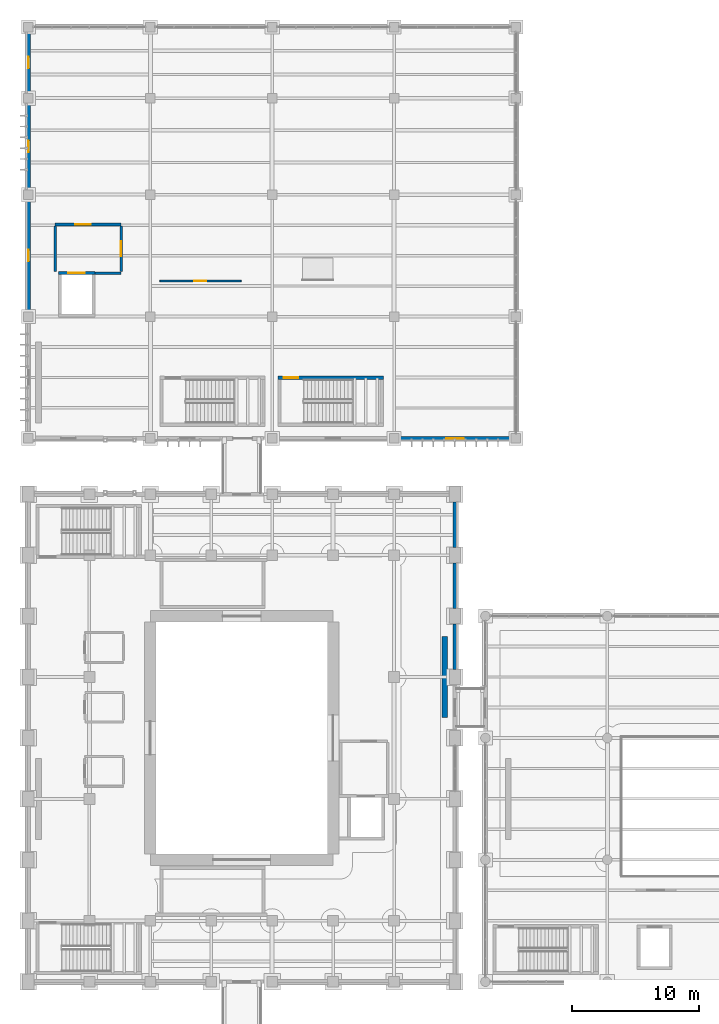
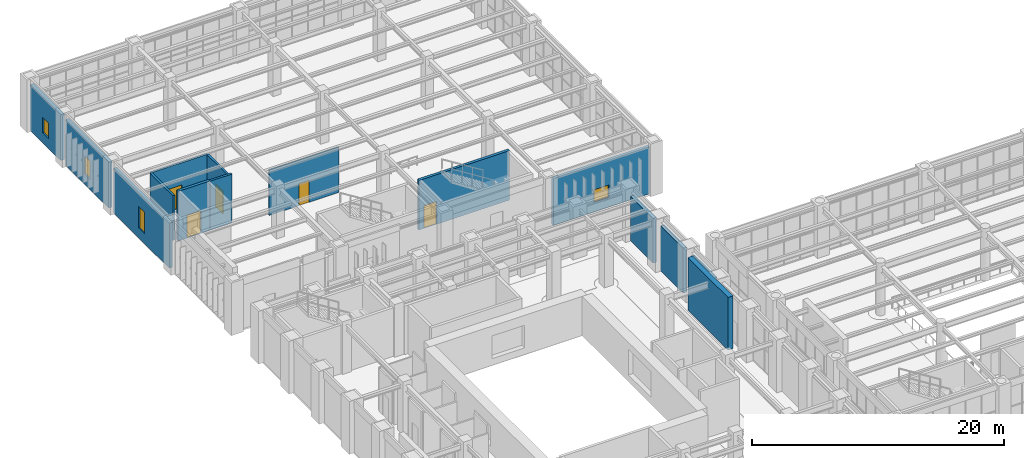
# One storey, part 145 of 174: 15 walls, 5 doors, 4 windows, 9 openings.
"""IFC4 building model written with IfcOpenShell, lengths in metres."""

import ifcopenshell
import ifcopenshell.guid

model = None  # the IFC model being written
_history = None  # IfcOwnerHistory: only IFC2X3 demands one
_inside = {}  # id of a spatial element -> (the spatial element, [elements in it])
_under = {}  # id of a project, library or spatial element -> (it, [spatial elements below it])
_declared = {}  # id of a project -> (the project, [libraries it declares])
_typed = {}  # id of a type object -> (the type object, [elements of that type])
_made_of = {}  # id of a material, layer set ... -> (it, [elements and type objects made of it])


def new_model(schema):
    """Start an empty IFC model of exactly this schema.

    Asked for "IFC4X3", IfcOpenShell would pick the latest addendum, in which some entities
    have other attributes; the version numbers below select the first issue.
    IFC2X3 requires an IfcOwnerHistory on every rooted entity: one is made here for all.
    """
    global model, _history
    if schema == "IFC4X3":
        model = ifcopenshell.file(schema_version=(4, 3, 0, 0))
    else:
        model = ifcopenshell.file(schema=schema)
    _inside.clear()
    _under.clear()
    _declared.clear()
    _typed.clear()
    _made_of.clear()
    _history = None
    if model.schema == "IFC2X3":
        org = make("IfcOrganization", Name="unknown")
        user = make(
            "IfcPersonAndOrganization",
            ThePerson=make("IfcPerson", FamilyName="unknown"),
            TheOrganization=org,
        )
        app = make(
            "IfcApplication",
            ApplicationDeveloper=org,
            Version="unknown",
            ApplicationFullName="unknown",
            ApplicationIdentifier="unknown",
        )
        _history = make(
            "IfcOwnerHistory",
            OwningUser=user,
            OwningApplication=app,
            ChangeAction="ADDED",
            CreationDate=0,
        )
    return model


def make(cls, **values):
    """One entity of the class cls with the attributes given. An attribute that is None is left unset."""
    return model.create_entity(
        cls, **{name: value for name, value in values.items() if value is not None}
    )


def rooted(cls, **values):
    """An entity with a GlobalId (a new one), such as an element, a storey or a relation."""
    return make(cls, GlobalId=ifcopenshell.guid.new(), OwnerHistory=_history, **values)


def si_unit(unit_type, name, prefix=None):
    """IfcSIUnit, for example si_unit("LENGTHUNIT", "METRE", prefix="MILLI")."""
    return make("IfcSIUnit", UnitType=unit_type, Prefix=prefix, Name=name)


def assignment(units):
    """IfcUnitAssignment: the units of a project."""
    return None if units is None else make("IfcUnitAssignment", Units=units)


def point(xyz):
    """IfcCartesianPoint."""
    return None if xyz is None else make("IfcCartesianPoint", Coordinates=xyz)


def direction(xyz):
    """IfcDirection."""
    return None if xyz is None else make("IfcDirection", DirectionRatios=xyz)


def frame(location, z_axis=None, x_axis=None):
    """IfcAxis2Placement3D, a coordinate frame: its origin and axes. An axis left out is left unset."""
    return make(
        "IfcAxis2Placement3D",
        Location=point(location),
        Axis=direction(z_axis),
        RefDirection=direction(x_axis),
    )


def frame_2d(location, x_axis=None):
    """IfcAxis2Placement2D, a coordinate frame in the plane: its origin and x axis."""
    return make(
        "IfcAxis2Placement2D", Location=point(location), RefDirection=direction(x_axis)
    )


def origin():
    """The frame at (0, 0, 0) with its axes left unset."""
    return frame((0.0, 0.0, 0.0))


def place(relative_to, where):
    """IfcLocalPlacement: puts the frame where relative to a parent placement (None: the world)."""
    return make(
        "IfcLocalPlacement", PlacementRelTo=relative_to, RelativePlacement=where
    )


def context(
    kind, dimensions, precision=None, world=None, true_north=None, identifier=None
):
    """IfcGeometricRepresentationContext, for example the 3D "Model" context."""
    return make(
        "IfcGeometricRepresentationContext",
        ContextIdentifier=identifier,
        ContextType=kind,
        CoordinateSpaceDimension=dimensions,
        Precision=precision,
        WorldCoordinateSystem=world,
        TrueNorth=true_north,
    )


def subcontext(parent, identifier, kind, view, scale=None):
    """IfcGeometricRepresentationSubContext, for example "Body" below "Model"."""
    return make(
        "IfcGeometricRepresentationSubContext",
        ContextIdentifier=identifier,
        ContextType=kind,
        ParentContext=parent,
        TargetScale=scale,
        TargetView=view,
    )


def project(units=None, contexts=None):
    """IfcProject with its units and contexts."""
    return rooted(
        "IfcProject",
        Name="project",
        RepresentationContexts=contexts,
        UnitsInContext=assignment(units),
    )


def spatial(cls, under=None, at=None, **own):
    """A site, building, storey or space (cls), placed at a placement, below another one or the project."""
    s = rooted(cls, ObjectPlacement=at, **own)
    if under is not None:
        _under.setdefault(under.id(), (under, []))[1].append(s)
    return s


def profile(cls, at=None, kind="AREA", **sizes):
    """A parametric profile (cls). Its sizes go by their IFC names, for example OverallWidth=200.0."""
    return make(cls, ProfileType=kind, Position=at, **sizes)


def rectangle(**sizes):
    """IfcRectangleProfileDef."""
    return profile("IfcRectangleProfileDef", **sizes)


def extrude(swept, where, along, depth):
    """IfcExtrudedAreaSolid: the profile swept, set in the frame where, extruded along a direction by depth."""
    return make(
        "IfcExtrudedAreaSolid",
        SweptArea=swept,
        Position=where,
        ExtrudedDirection=direction(along),
        Depth=depth,
    )


def shape(context_of_items, identifier, shape_type, items):
    """IfcShapeRepresentation: the items that make up one representation, for example the "Body"."""
    return make(
        "IfcShapeRepresentation",
        ContextOfItems=context_of_items,
        RepresentationIdentifier=identifier,
        RepresentationType=shape_type,
        Items=items,
    )


def material(Name=None, Category=None):
    """IfcMaterial."""
    return make("IfcMaterial", Name=Name, Category=Category)


def layer(
    of_material, thickness, ventilated=None, Name=None, Category=None, Priority=None
):
    """IfcMaterialLayer: one layer of a wall or slab, of a material (None: an air gap)."""
    return make(
        "IfcMaterialLayer",
        Material=of_material,
        LayerThickness=thickness,
        IsVentilated=ventilated,
        Name=Name,
        Category=Category,
        Priority=Priority,
    )


def layer_set(layers, Name=None):
    """IfcMaterialLayerSet."""
    return make("IfcMaterialLayerSet", MaterialLayers=layers, LayerSetName=Name)


def made_of(thing, what):
    """Note that an element or type object is made of a material, layer set ...; save() writes the relation."""
    if what is not None:
        _made_of.setdefault(what.id(), (what, []))[1].append(thing)
    return thing


def type_object(cls, material=None, **own):
    """A type object (cls), such as IfcWallType, which elements share."""
    return made_of(rooted(cls, **own), material)


def element(
    cls,
    number,
    at=None,
    inside=None,
    cuts=None,
    type_object=None,
    material=None,
    context=None,
    identifier="Body",
    shape_type=None,
    held_by="IfcProductDefinitionShape",
    body=None,
    shapes=None,
    **own,
):
    """One element of the class cls, such as IfcWall. Its Tag is "e" and its number.

    at: its placement. inside: the storey or other place that contains it. cuts: it is an
    opening in that element (IfcRelVoidsElement). A single representation is given by context,
    identifier, shape_type and body (its items); several are given by shapes. held_by: the class
    of the entity that holds the representations. save() writes the other relations.
    """
    e = rooted(cls, Tag="e%d" % number, ObjectPlacement=at, **own)
    if body is not None:
        shapes = [shape(context, identifier, shape_type, body)]
    if shapes is not None:
        e.Representation = make(held_by, Representations=shapes)
    if inside is not None:
        _inside.setdefault(inside.id(), (inside, []))[1].append(e)
    if cuts is not None:
        rooted(
            "IfcRelVoidsElement", RelatingBuildingElement=cuts, RelatedOpeningElement=e
        )
    if type_object is not None:
        _typed.setdefault(type_object.id(), (type_object, []))[1].append(e)
    return made_of(e, material)


def fill(opening, filler):
    """IfcRelFillsElement: the door or window that sits in an opening."""
    return rooted(
        "IfcRelFillsElement",
        RelatingOpeningElement=opening,
        RelatedBuildingElement=filler,
    )


def aggregate(whole, parts):
    """IfcRelAggregates: a whole, such as a stair, and the parts it consists of."""
    return rooted("IfcRelAggregates", RelatingObject=whole, RelatedObjects=parts)


def save(model, path):
    """Write the relations noted so far, then the file.

    IfcRelAggregates (storeys below a building ...), IfcRelContainedInSpatialStructure (elements
    in a storey), IfcRelDefinesByType, IfcRelAssociatesMaterial and IfcRelDeclares: one each for
    every whole, place, type object, material and project.
    """
    for whole, parts in _under.values():
        aggregate(whole, parts)
    for where, things in _inside.values():
        rooted(
            "IfcRelContainedInSpatialStructure",
            RelatedElements=things,
            RelatingStructure=where,
        )
    for kind, things in _typed.values():
        rooted("IfcRelDefinesByType", RelatedObjects=things, RelatingType=kind)
    for what, things in _made_of.values():
        rooted("IfcRelAssociatesMaterial", RelatedObjects=things, RelatingMaterial=what)
    for by, libraries in _declared.values():
        rooted("IfcRelDeclares", RelatingContext=by, RelatedDefinitions=libraries)
    model.write(path)


model = new_model("IFC4")

# Units and contexts
model_context = context("Model", 3, precision=1e-05, world=origin(), true_north=direction((0.0, 1.0)))
body_context = subcontext(model_context, "Body", "Model", "MODEL_VIEW")
ifc_project = project(units=[si_unit("LENGTHUNIT", "METRE"), si_unit("AREAUNIT", "SQUARE_METRE"), si_unit("VOLUMEUNIT", "CUBIC_METRE"), si_unit("PLANEANGLEUNIT", "RADIAN"), si_unit("MASSUNIT", "GRAM", prefix="KILO")], contexts=[model_context])

# Site, building, storey
site_placement = place(None, origin())
site = spatial("IfcSite", under=ifc_project, at=site_placement, CompositionType="ELEMENT")
building_placement = place(site_placement, origin())
building = spatial("IfcBuilding", under=site, at=building_placement, Name="Mavantir Sound Aquarium", CompositionType="ELEMENT")
storey_placement = place(building_placement, frame((0.0, 0.0, 5.39990234375)))
storey = spatial("IfcBuildingStorey", under=building, at=storey_placement, Name="L01", CompositionType="ELEMENT", Elevation=5.39990234375)

# Wall, opening, window
ifc_material_1 = material(Name="Coral-Buff Architectural Precast Concrete C40/50", Category="concrete")
ifc_layer_1 = layer(ifc_material_1, 0.31005859375, Name="Coral-Buff Architectural Precast Concrete C40/50")
ifc_layer_set_1 = layer_set([ifc_layer_1], Name="Coral-Buff Architectural Precast Concrete C40/50")
wall_type_1 = type_object("IfcWallType", Name="EW-CORAL-310", PredefinedType="SOLIDWALL", material=ifc_layer_set_1)
wall_1_placement = place(storey_placement, frame((0.0, 110.01708984375, 0.0), z_axis=(0.0, 0.0, 1.0), x_axis=(0.0, -1.0, 0.0)))
wall_1 = element("IfcWall", 1, at=wall_1_placement, inside=storey, type_object=wall_type_1, Name="L01 exterior facade wall EW-02 170", PredefinedType="SOLIDWALL", context=body_context, shape_type="SweptSolid", body=[
    extrude(rectangle(XDim=6.833984375, YDim=0.31005859375, at=frame_2d((3.4169921875, 0.0))), origin(), (0.0, 0.0, 1.0), 4.4560546875),
])
opening_1_placement = place(wall_1_placement, frame((2.967041015625, 0.0, 0.949951171875)))
opening_1 = element("IfcOpeningElement", 2, at=opening_1_placement, cuts=wall_1, Name="Opening W-03", PredefinedType="OPENING", context=body_context, shape_type="SweptSolid", body=[
    extrude(rectangle(XDim=0.89990234375, YDim=1.800048828125, at=frame_2d((0.449951171875, 0.89990234375))), frame((0.0, 0.1650390625, 0.0), z_axis=(0.0, -1.0, 0.0), x_axis=(1.0, 0.0, 0.0)), (0.0, 0.0, 1.0), 0.330078125),
])
ifc_material_2 = material(Name="Thermally Broken Aluminium and Low-E Glass", Category="aluminium")
window_type_1 = type_object("IfcWindowType", Name="WIN-EXT-03", PartitioningType="SINGLE_PANEL", PredefinedType="WINDOW", material=ifc_material_2)
window_1_placement = place(opening_1_placement, origin())
window_1 = element("IfcWindow", 3, at=window_1_placement, inside=storey, type_object=window_type_1, Name="L01 facade window W-03 51", OverallHeight=1.800048828125, OverallWidth=0.89990234375, PartitioningType="SINGLE_PANEL", PredefinedType="WINDOW", context=body_context, shape_type="SweptSolid", body=[
    extrude(rectangle(XDim=0.89990234375, YDim=1.800048828125, at=frame_2d((0.449951171875, 0.89990234375))), frame((0.0, 0.030029296875, 0.0), z_axis=(0.0, -1.0, 0.0), x_axis=(1.0, 0.0, 0.0)), (0.0, 0.0, 1.0), 0.06005859375),
])
fill(opening_1, window_1)

# Walls
ifc_layer_2 = layer(ifc_material_1, 0.340087890625, Name="Coral-Buff Architectural Precast Concrete C40/50")
ifc_layer_set_2 = layer_set([ifc_layer_2], Name="Coral-Buff Architectural Precast Concrete C40/50")
wall_type_2 = type_object("IfcWallType", Name="EW-CORAL-340", PredefinedType="SOLIDWALL", material=ifc_layer_set_2)
for number, where, z_axis, x_axis, name in (
    (4, (33.60009765625, 65.407958984375, 0.0), (0.0, 0.0, 1.0), (0.0, 1.0, 0.0), "L01 exterior facade wall EW-01 141"),
    (5, (33.60009765625, 70.2080078125, 0.0), (0.0, 0.0, 1.0), (0.0, 1.0, 0.0), "L01 exterior facade wall EW-01 142"),
):
    element("IfcWall", number, at=place(storey_placement, frame(where, z_axis=z_axis, x_axis=x_axis)), inside=storey, type_object=wall_type_2, Name=name, PredefinedType="SOLIDWALL", context=body_context, shape_type="SweptSolid", body=[
        extrude(rectangle(XDim=3.583984375, YDim=0.340087890625, at=frame_2d((1.7919921875, 0.0))), origin(), (0.0, 0.0, 1.0), 4.358154296875),
    ])
wall_2_placement = place(storey_placement, frame((33.60009765625, 75.008056640625, 0.0), z_axis=(0.0, 0.0, 1.0), x_axis=(0.0, 1.0, 0.0)))
element("IfcWall", 6, at=wall_2_placement, inside=storey, type_object=wall_type_2, Name="L01 exterior facade wall EW-01 143", PredefinedType="SOLIDWALL", context=body_context, shape_type="SweptSolid", body=[
    extrude(rectangle(XDim=3.583984375, YDim=0.340087890625, at=frame_2d((1.7919921875, 0.0))), origin(), (0.0, 0.0, 1.0), 4.31298828125),
])

# Wall, opening, window
wall_3_placement = place(storey_placement, frame((0.0, 115.616943359375, 0.0), z_axis=(0.0, 0.0, 1.0), x_axis=(0.0, -1.0, 0.0)))
wall_3 = element("IfcWall", 7, at=wall_3_placement, inside=storey, type_object=wall_type_2, Name="L01 exterior facade wall EW-01 169", PredefinedType="SOLIDWALL", context=body_context, shape_type="SweptSolid", body=[
    extrude(rectangle(XDim=4.833984375, YDim=0.340087890625, at=frame_2d((2.4169921875, 0.0))), origin(), (0.0, 0.0, 1.0), 4.43603515625),
])
opening_2_placement = place(wall_3_placement, frame((1.967041015625, 0.0, 0.949951171875)))
opening_2 = element("IfcOpeningElement", 8, at=opening_2_placement, cuts=wall_3, Name="Opening W-02", PredefinedType="OPENING", context=body_context, shape_type="SweptSolid", body=[
    extrude(rectangle(XDim=0.89990234375, YDim=1.5, at=frame_2d((0.449951171875, 0.75))), frame((0.0, 0.18017578125, 0.0), z_axis=(0.0, -1.0, 0.0), x_axis=(1.0, 0.0, 0.0)), (0.0, 0.0, 1.0), 0.360107421875),
])
window_type_2 = type_object("IfcWindowType", Name="WIN-EXT-02", PartitioningType="SINGLE_PANEL", PredefinedType="WINDOW", material=ifc_material_2)
window_2_placement = place(opening_2_placement, origin())
window_2 = element("IfcWindow", 9, at=window_2_placement, inside=storey, type_object=window_type_2, Name="L01 facade window W-02 50", OverallHeight=1.5, OverallWidth=0.89990234375, PartitioningType="SINGLE_PANEL", PredefinedType="WINDOW", context=body_context, shape_type="SweptSolid", body=[
    extrude(rectangle(XDim=0.89990234375, YDim=1.5, at=frame_2d((0.449951171875, 0.75))), frame((0.0, 0.030029296875, 0.0), z_axis=(0.0, -1.0, 0.0), x_axis=(1.0, 0.0, 0.0)), (0.0, 0.0, 1.0), 0.06005859375),
])
fill(opening_2, window_2)

ifc_material_3 = material(Name="Cerulean Glazed Terracotta Rainscreen on Concrete C40/50", Category="masonry")
ifc_layer_3 = layer(ifc_material_3, 0.27001953125, Name="Cerulean Glazed Terracotta Rainscreen on Concrete C40/50")
ifc_layer_set_3 = layer_set([ifc_layer_3], Name="Cerulean Glazed Terracotta Rainscreen on Concrete C40/50")
wall_type_3 = type_object("IfcWallType", Name="EW-TERRA-270", PredefinedType="SOLIDWALL", material=ifc_layer_set_3)
wall_4_placement = place(storey_placement, frame((29.18310546875, 83.60009765625, 0.0), z_axis=(0.0, 0.0, 1.0), x_axis=(1.0, 0.0, 0.0)))
wall_4 = element("IfcWall", 10, at=wall_4_placement, inside=storey, type_object=wall_type_3, Name="L01 exterior facade wall EW-04 178", PredefinedType="SOLIDWALL", context=body_context, shape_type="SweptSolid", body=[
    extrude(rectangle(XDim=8.833984375, YDim=0.27001953125, at=frame_2d((4.4169921875, 0.0))), origin(), (0.0, 0.0, 1.0), 4.543212890625),
])
opening_3_placement = place(wall_4_placement, frame((3.741943359375, 0.0, 0.949951171875)))
opening_3 = element("IfcOpeningElement", 11, at=opening_3_placement, cuts=wall_4, Name="Opening W-09", PredefinedType="OPENING", context=body_context, shape_type="SweptSolid", body=[
    extrude(rectangle(XDim=1.35009765625, YDim=1.199951171875, at=frame_2d((0.675048828125, 0.60009765625))), frame((0.0, 0.14501953125, 0.0), z_axis=(0.0, -1.0, 0.0), x_axis=(1.0, 0.0, 0.0)), (0.0, 0.0, 1.0), 0.2900390625),
])
window_type_3 = type_object("IfcWindowType", Name="WIN-EXT-09", PartitioningType="SINGLE_PANEL", PredefinedType="WINDOW", material=ifc_material_2)
window_3_placement = place(opening_3_placement, origin())
window_3 = element("IfcWindow", 12, at=window_3_placement, inside=storey, type_object=window_type_3, Name="L01 facade window W-09 57", OverallHeight=1.199951171875, OverallWidth=1.35009765625, PartitioningType="SINGLE_PANEL", PredefinedType="WINDOW", context=body_context, shape_type="SweptSolid", body=[
    extrude(rectangle(XDim=1.35009765625, YDim=1.199951171875, at=frame_2d((0.675048828125, 0.60009765625))), frame((0.0, 0.030029296875, 0.0), z_axis=(0.0, -1.0, 0.0), x_axis=(1.0, 0.0, 0.0)), (0.0, 0.0, 1.0), 0.06005859375),
])
fill(opening_3, window_3)

ifc_material_4 = material(Name="Turquoise Glazed Terracotta Rainscreen on Concrete C40/50", Category="masonry")
ifc_layer_4 = layer(ifc_material_4, 0.2900390625, Name="Turquoise Glazed Terracotta Rainscreen on Concrete C40/50")
ifc_layer_set_4 = layer_set([ifc_layer_4], Name="Turquoise Glazed Terracotta Rainscreen on Concrete C40/50")
wall_type_4 = type_object("IfcWallType", Name="EW-TERRA-290", PredefinedType="SOLIDWALL", material=ifc_layer_set_4)
wall_5_placement = place(storey_placement, frame((0.0, 102.4169921875, 0.0), z_axis=(0.0, 0.0, 1.0), x_axis=(0.0, -1.0, 0.0)))
wall_5 = element("IfcWall", 13, at=wall_5_placement, inside=storey, type_object=wall_type_4, Name="L01 exterior facade wall EW-03 171", PredefinedType="SOLIDWALL", context=body_context, shape_type="SweptSolid", body=[
    extrude(rectangle(XDim=8.833984375, YDim=0.2900390625, at=frame_2d((4.4169921875, 0.0))), origin(), (0.0, 0.0, 1.0), 4.34912109375),
])
opening_4_placement = place(wall_5_placement, frame((3.967041015625, 0.0, 0.949951171875)))
opening_4 = element("IfcOpeningElement", 14, at=opening_4_placement, cuts=wall_5, Name="Opening W-04", PredefinedType="OPENING", context=body_context, shape_type="SweptSolid", body=[
    extrude(rectangle(XDim=0.89990234375, YDim=2.10009765625, at=frame_2d((0.449951171875, 1.050048828125))), frame((0.0, 0.155029296875, 0.0), z_axis=(0.0, -1.0, 0.0), x_axis=(1.0, 0.0, 0.0)), (0.0, 0.0, 1.0), 0.31005859375),
])
window_type_4 = type_object("IfcWindowType", Name="WIN-EXT-04", PartitioningType="SINGLE_PANEL", PredefinedType="WINDOW", material=ifc_material_2)
window_4_placement = place(opening_4_placement, origin())
window_4 = element("IfcWindow", 15, at=window_4_placement, inside=storey, type_object=window_type_4, Name="L01 facade window W-04 52", OverallHeight=2.10009765625, OverallWidth=0.89990234375, PartitioningType="SINGLE_PANEL", PredefinedType="WINDOW", context=body_context, shape_type="SweptSolid", body=[
    extrude(rectangle(XDim=0.89990234375, YDim=2.10009765625, at=frame_2d((0.449951171875, 1.050048828125))), frame((0.0, 0.030029296875, 0.0), z_axis=(0.0, -1.0, 0.0), x_axis=(1.0, 0.0, 0.0)), (0.0, 0.0, 1.0), 0.06005859375),
])
fill(opening_4, window_4)

# Wall, opening, door
ifc_material_5 = material(Name="Concrete C40/50", Category="concrete")
ifc_layer_5 = layer(ifc_material_5, 0.199951171875, Name="Concrete C40/50")
ifc_layer_set_5 = layer_set([ifc_layer_5], Name="Concrete C40/50")
wall_type_5 = type_object("IfcWallType", Name="IW-FFL-200", PredefinedType="PARTITIONING", material=ifc_layer_set_5)
wall_6_placement = place(storey_placement, frame((2.10009765625, 100.449951171875, 0.0), z_axis=(0.0, 0.0, 1.0), x_axis=(1.0, 0.0, 0.0)))
wall_6 = element("IfcWall", 16, at=wall_6_placement, inside=storey, type_object=wall_type_5, Name="L01 firefighting lift lobby LC2 wall N", PredefinedType="PARTITIONING", context=body_context, shape_type="SweptSolid", body=[
    extrude(rectangle(XDim=5.199951171875, YDim=0.199951171875, at=frame_2d((2.60009765625, 0.0))), origin(), (0.0, 0.0, 1.0), 4.34912109375),
])
opening_5_placement = place(wall_6_placement, frame((1.60009765625, 0.0, 0.0)))
opening_5 = element("IfcOpeningElement", 17, at=opening_5_placement, cuts=wall_6, Name="Opening FD-01", PredefinedType="OPENING", context=body_context, shape_type="SweptSolid", body=[
    extrude(rectangle(XDim=1.199951171875, YDim=2.199951171875, at=frame_2d((0.60009765625, 1.10009765625))), frame((0.0, 0.10986328125, 0.0), z_axis=(0.0, -1.0, 0.0), x_axis=(1.0, 0.0, 0.0)), (0.0, 0.0, 1.0), 0.219970703125),
])
ifc_material_6 = material(Name="Fire-Rated Steel Lobby Door Leaf", Category="steel")
door_type_1 = type_object("IfcDoorType", Name="DR-FFL-120", OperationType="NOTDEFINED", PredefinedType="DOOR", material=ifc_material_6)
door_1_placement = place(opening_5_placement, origin())
door_1 = element("IfcDoor", 18, at=door_1_placement, inside=storey, type_object=door_type_1, Name="L01 firefighting lobby LC2 accommodation door", OperationType="SINGLE_SWING_LEFT", OverallHeight=2.199951171875, OverallWidth=1.199951171875, PredefinedType="DOOR", context=body_context, shape_type="SweptSolid", body=[
    extrude(rectangle(XDim=1.199951171875, YDim=2.199951171875, at=frame_2d((0.60009765625, 1.10009765625))), frame((0.0, 0.02490234375, 0.0), z_axis=(0.0, -1.0, 0.0), x_axis=(1.0, 0.0, 0.0)), (0.0, 0.0, 1.0), 0.050048828125),
])
fill(opening_5, door_1)

# Wall
wall_7_placement = place(storey_placement, frame((2.10009765625, 96.75, 0.0), z_axis=(0.0, 0.0, 1.0), x_axis=(0.0, 1.0, 0.0)))
element("IfcWall", 19, at=wall_7_placement, inside=storey, type_object=wall_type_5, Name="L01 firefighting lift lobby LC2 wall W", PredefinedType="PARTITIONING", context=body_context, shape_type="SweptSolid", body=[
    extrude(rectangle(XDim=3.60009765625, YDim=0.199951171875, at=frame_2d((1.800048828125, 0.0))), origin(), (0.0, 0.0, 1.0), 4.34912109375),
])

# Wall, opening, door
wall_8_placement = place(storey_placement, frame((7.300048828125, 96.75, 0.0), z_axis=(0.0, 0.0, 1.0), x_axis=(0.0, 1.0, 0.0)))
wall_8 = element("IfcWall", 20, at=wall_8_placement, inside=storey, type_object=wall_type_5, Name="L01 firefighting lift lobby LC2 wall E", PredefinedType="PARTITIONING", context=body_context, shape_type="SweptSolid", body=[
    extrude(rectangle(XDim=3.60009765625, YDim=0.199951171875, at=frame_2d((1.800048828125, 0.0))), origin(), (0.0, 0.0, 1.0), 4.34912109375),
])
opening_6_placement = place(wall_8_placement, frame((1.199951171875, 0.0, 0.0)))
opening_6 = element("IfcOpeningElement", 21, at=opening_6_placement, cuts=wall_8, Name="Opening FD-01", PredefinedType="OPENING", context=body_context, shape_type="SweptSolid", body=[
    extrude(rectangle(XDim=1.199951171875, YDim=2.199951171875, at=frame_2d((0.60009765625, 1.10009765625))), frame((0.0, 0.10986328125, 0.0), z_axis=(0.0, -1.0, 0.0), x_axis=(1.0, 0.0, 0.0)), (0.0, 0.0, 1.0), 0.219970703125),
])
door_2_placement = place(opening_6_placement, origin())
door_2 = element("IfcDoor", 22, at=door_2_placement, inside=storey, type_object=door_type_1, Name="L01 firefighting lobby LC2 stair-access door", OperationType="SINGLE_SWING_RIGHT", OverallHeight=2.199951171875, OverallWidth=1.199951171875, PredefinedType="DOOR", context=body_context, shape_type="SweptSolid", body=[
    extrude(rectangle(XDim=1.199951171875, YDim=2.199951171875, at=frame_2d((0.60009765625, 1.10009765625))), frame((0.0, 0.02490234375, 0.0), z_axis=(0.0, -1.0, 0.0), x_axis=(1.0, 0.0, 0.0)), (0.0, 0.0, 1.0), 0.050048828125),
])
fill(opening_6, door_2)

# Wall
wall_9_placement = place(storey_placement, frame((5.25, 96.625, 0.0), z_axis=(0.0, 0.0, 1.0), x_axis=(1.0, 0.0, 0.0)))
element("IfcWall", 23, at=wall_9_placement, inside=storey, type_object=wall_type_5, Name="L01 firefighting lift lobby LC2 return SE", PredefinedType="PARTITIONING", context=body_context, shape_type="SweptSolid", body=[
    extrude(rectangle(XDim=2.050048828125, YDim=0.199951171875, at=frame_2d((1.02490234375, 0.0))), origin(), (0.0, 0.0, 1.0), 4.739990234375),
])

# Wall, opening, door
ifc_material_7 = material(Name="Acoustic Metal-Stud Gypsum Partition", Category="gypsum")
ifc_layer_6 = layer(ifc_material_7, 0.1298828125, Name="Acoustic Metal-Stud Gypsum Partition")
ifc_layer_set_6 = layer_set([ifc_layer_6], Name="Acoustic Metal-Stud Gypsum Partition")
wall_type_6 = type_object("IfcWallType", Name="IW-PART-130", PredefinedType="PARTITIONING", material=ifc_layer_set_6)
wall_10_placement = place(storey_placement, frame((10.35009765625, 96.0, 0.0), z_axis=(0.0, 0.0, 1.0), x_axis=(1.0, 0.0, 0.0)))
wall_10 = element("IfcWall", 24, at=wall_10_placement, inside=storey, type_object=wall_type_6, Name="L01 Marine Research Ichthyology and Coral Genetics Laboratory entry partition", PredefinedType="PARTITIONING", context=body_context, shape_type="SweptSolid", body=[
    extrude(rectangle(XDim=6.39990234375, YDim=0.1298828125, at=frame_2d((3.199951171875, 0.0))), origin(), (0.0, 0.0, 1.0), 4.4130859375),
])
opening_7_placement = place(wall_10_placement, frame((2.72509765625, 0.0, 0.0)))
opening_7 = element("IfcOpeningElement", 25, at=opening_7_placement, cuts=wall_10, Name="Opening ID-02", PredefinedType="OPENING", context=body_context, shape_type="SweptSolid", body=[
    extrude(rectangle(XDim=0.949951171875, YDim=2.14990234375, at=frame_2d((0.47509765625, 1.074951171875))), frame((0.0, 0.074951171875, 0.0), z_axis=(0.0, -1.0, 0.0), x_axis=(1.0, 0.0, 0.0)), (0.0, 0.0, 1.0), 0.14990234375),
])
ifc_material_8 = material(Name="Solid-Core Marine Hardwood and Vision-Panel Door", Category="wood")
door_type_2 = type_object("IfcDoorType", Name="DR-INT-02", OperationType="NOTDEFINED", PredefinedType="DOOR", material=ifc_material_8)
door_3_placement = place(opening_7_placement, origin())
door_3 = element("IfcDoor", 26, at=door_3_placement, inside=storey, type_object=door_type_2, Name="Marine Research Ichthyology and Coral Genetics Laboratory door", OperationType="SINGLE_SWING_RIGHT", OverallHeight=2.14990234375, OverallWidth=0.949951171875, PredefinedType="DOOR", context=body_context, shape_type="SweptSolid", body=[
    extrude(rectangle(XDim=0.949951171875, YDim=2.14990234375, at=frame_2d((0.47509765625, 1.074951171875))), frame((0.0, 0.02490234375, 0.0), z_axis=(0.0, -1.0, 0.0), x_axis=(1.0, 0.0, 0.0)), (0.0, 0.0, 1.0), 0.050048828125),
])
fill(opening_7, door_3)

ifc_layer_7 = layer(ifc_material_5, 0.25, Name="Concrete C40/50")
ifc_layer_set_7 = layer_set([ifc_layer_7], Name="Concrete C40/50")
wall_type_7 = type_object("IfcWallType", Name="IW-SHAFT-250", PredefinedType="SHEAR", material=ifc_layer_set_7)
wall_11_placement = place(storey_placement, frame((27.949951171875, 88.375, 0.0), z_axis=(0.0, 0.0, 1.0), x_axis=(-1.0, 0.0, 0.0)))
wall_11 = element("IfcWall", 27, at=wall_11_placement, inside=storey, type_object=wall_type_7, Name="L01 stair ST7 shaft wall N", PredefinedType="SHEAR", context=body_context, shape_type="SweptSolid", body=[
    extrude(rectangle(XDim=8.300048828125, YDim=0.25, at=frame_2d((4.14990234375, 0.0))), origin(), (0.0, 0.0, 1.0), 4.800048828125),
])
opening_8_placement = place(wall_11_placement, frame((7.849853515625, 0.0, 0.0), z_axis=(0.0, 0.0, 1.0), x_axis=(-1.0, 0.0, 0.0)))
opening_8 = element("IfcOpeningElement", 28, at=opening_8_placement, cuts=wall_11, Name="Opening SD-02", PredefinedType="OPENING", context=body_context, shape_type="SweptSolid", body=[
    extrude(rectangle(XDim=1.14990234375, YDim=2.199951171875, at=frame_2d((0.574951171875, 1.10009765625))), frame((0.0, 0.135009765625, 0.0), z_axis=(0.0, -1.0, 0.0), x_axis=(1.0, 0.0, 0.0)), (0.0, 0.0, 1.0), 0.27001953125),
])
ifc_material_9 = material(Name="Fire-Rated Steel Acoustic Door Leaf", Category="steel")
door_type_3 = type_object("IfcDoorType", Name="DR-ST-115", OperationType="NOTDEFINED", PredefinedType="DOOR", material=ifc_material_9)
door_4_placement = place(opening_8_placement, origin())
door_4 = element("IfcDoor", 29, at=door_4_placement, inside=storey, type_object=door_type_3, Name="L01 protected exit stair ST7 door", OperationType="SINGLE_SWING_RIGHT", OverallHeight=2.199951171875, OverallWidth=1.14990234375, PredefinedType="DOOR", context=body_context, shape_type="SweptSolid", body=[
    extrude(rectangle(XDim=1.14990234375, YDim=2.199951171875, at=frame_2d((0.574951171875, 1.10009765625))), frame((0.0, 0.02490234375, 0.0), z_axis=(0.0, -1.0, 0.0), x_axis=(1.0, 0.0, 0.0)), (0.0, 0.0, 1.0), 0.050048828125),
])
fill(opening_8, door_4)

wall_12_placement = place(storey_placement, frame((2.35009765625, 96.625, 0.0), z_axis=(0.0, 0.0, 1.0), x_axis=(1.0, 0.0, 0.0)))
wall_12 = element("IfcWall", 30, at=wall_12_placement, inside=storey, type_object=wall_type_7, Name="L01 lift LC2 shaft wall N", PredefinedType="SHEAR", context=body_context, shape_type="SweptSolid", body=[
    extrude(rectangle(XDim=2.89990234375, YDim=0.25, at=frame_2d((1.449951171875, 0.0))), origin(), (0.0, 0.0, 1.0), 4.800048828125),
])
opening_9_placement = place(wall_12_placement, frame((0.800048828125, 0.0, 0.0)))
opening_9 = element("IfcOpeningElement", 31, at=opening_9_placement, cuts=wall_12, Name="Opening LD-01", PredefinedType="OPENING", context=body_context, shape_type="SweptSolid", body=[
    extrude(rectangle(XDim=1.300048828125, YDim=2.199951171875, at=frame_2d((0.64990234375, 1.10009765625))), frame((0.0, 0.135009765625, 0.0), z_axis=(0.0, -1.0, 0.0), x_axis=(1.0, 0.0, 0.0)), (0.0, 0.0, 1.0), 0.27001953125),
])
ifc_material_10 = material(Name="Stainless Steel 316 Sliding Lift Landing Door", Category="steel")
door_type_4 = type_object("IfcDoorType", Name="DR-LD-130", OperationType="NOTDEFINED", PredefinedType="DOOR", material=ifc_material_10)
door_5_placement = place(opening_9_placement, origin())
door_5 = element("IfcDoor", 32, at=door_5_placement, inside=storey, type_object=door_type_4, Name="Lift LC2 sliding landing door (L01)", OperationType="DOUBLE_DOOR_SLIDING", OverallHeight=2.199951171875, OverallWidth=1.300048828125, PredefinedType="DOOR", context=body_context, shape_type="SweptSolid", body=[
    extrude(rectangle(XDim=1.300048828125, YDim=2.199951171875, at=frame_2d((0.64990234375, 1.10009765625))), frame((0.0, 0.02490234375, 0.0), z_axis=(0.0, -1.0, 0.0), x_axis=(1.0, 0.0, 0.0)), (0.0, 0.0, 1.0), 0.050048828125),
])
fill(opening_9, door_5)

# Wall
ifc_layer_8 = layer(ifc_material_5, 0.449951171875, Name="Concrete C40/50")
ifc_layer_set_8 = layer_set([ifc_layer_8], Name="Concrete C40/50")
wall_type_8 = type_object("IfcWallType", Name="SW-SHR-450", PredefinedType="SHEAR", material=ifc_layer_set_8)
wall_13_placement = place(storey_placement, frame((32.800048828125, 61.60009765625, 0.0), z_axis=(0.0, 0.0, 1.0), x_axis=(0.0, 1.0, 0.0)))
element("IfcWall", 33, at=wall_13_placement, inside=storey, type_object=wall_type_8, Name="L01 special RC shear wall 10 (V1)", PredefinedType="SHEAR", context=body_context, shape_type="SweptSolid", body=[
    extrude(rectangle(XDim=6.39990234375, YDim=0.449951171875, at=frame_2d((3.199951171875, 0.0))), origin(), (0.0, 0.0, 1.0), 5.10009765625),
])

save(model, "model.ifc")
